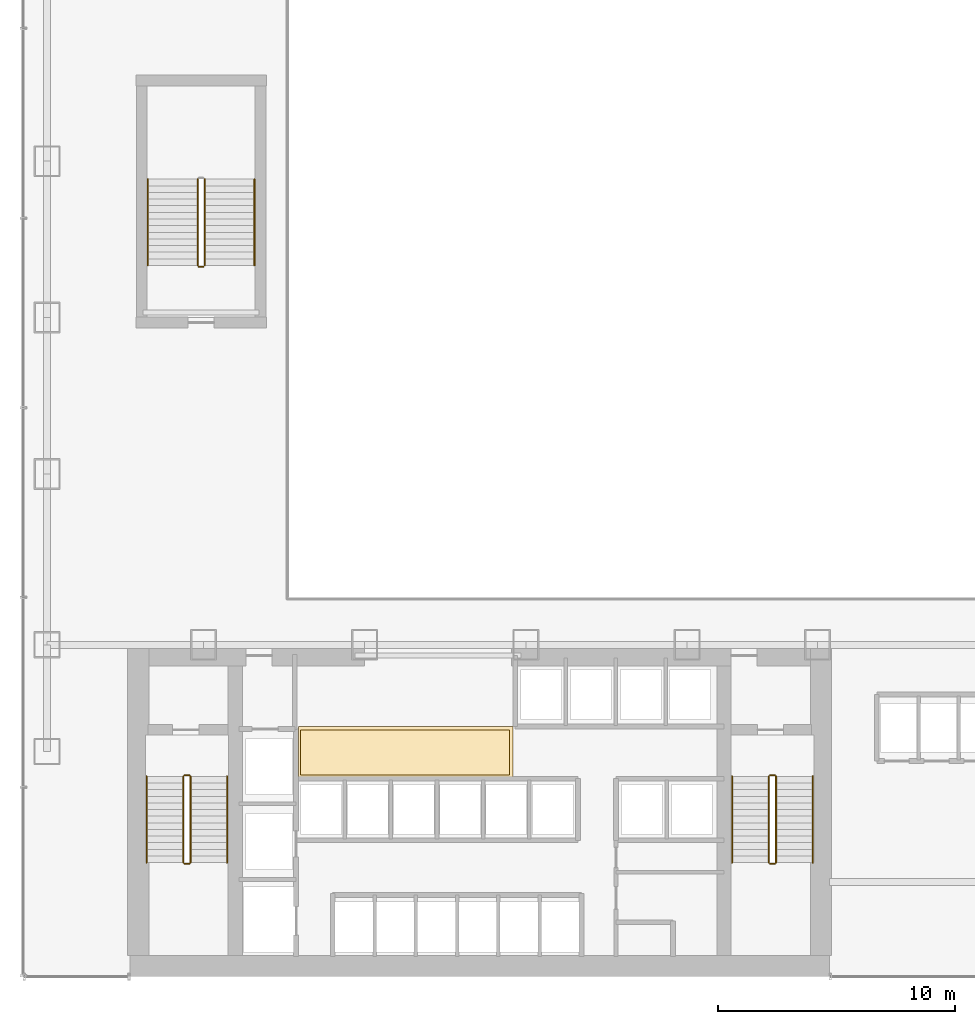
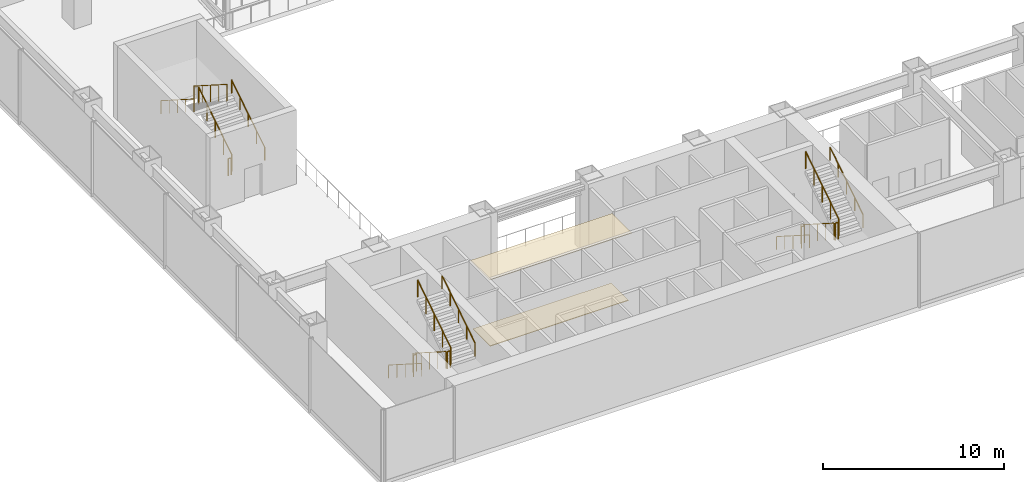
# One storey, part 32 of 39: 17 railings, 2 coverings.
"""IFC4 building model written with IfcOpenShell, lengths in metres."""

from ifc_helpers import new_model, si_unit, derived_unit, direction, frame, origin, origin_2d, place, context, subcontext, project, spatial, polyline, circle, outline, extrude, material, layer, layer_set, type_object, element, save


model = new_model("IFC4")

# Units and contexts
model_context = context("Model", 3, precision=1e-05, world=origin(), true_north=direction((0.0, 1.0)))
body_context = subcontext(model_context, "Body", "Model", "MODEL_VIEW")
ifc_project = project(units=[si_unit("LENGTHUNIT", "METRE"), si_unit("AREAUNIT", "SQUARE_METRE"), si_unit("VOLUMEUNIT", "CUBIC_METRE"), si_unit("PLANEANGLEUNIT", "RADIAN"), si_unit("MASSUNIT", "GRAM", prefix="KILO"), derived_unit("THERMALTRANSMITTANCEUNIT", [(si_unit("POWERUNIT", "WATT"), 1), (si_unit("LENGTHUNIT", "METRE"), -2), (si_unit("THERMODYNAMICTEMPERATUREUNIT", "KELVIN"), -1)])], contexts=[model_context])

# Site, building, storey
site_placement = place(None, origin())
site = spatial("IfcSite", under=ifc_project, at=site_placement, CompositionType="ELEMENT")
building_placement = place(site_placement, origin())
building = spatial("IfcBuilding", under=site, at=building_placement, Name="Skarnbrae Concourse Arena and Tower", CompositionType="ELEMENT")
storey_placement = place(building_placement, frame((0.0, 0.0, 16.0)))
storey = spatial("IfcBuildingStorey", under=building, at=storey_placement, Name="L03", CompositionType="ELEMENT", Elevation=16.0)

# Coverings
ifc_material_1 = material(Name="Mineral fibre acoustic ceiling tile", Category="other")
ifc_layer_1 = layer(ifc_material_1, 0.0400390625)
ifc_layer_set_1 = layer_set([ifc_layer_1], Name="Mineral fibre acoustic ceiling tile")
covering_type_1 = type_object("IfcCoveringType", Name="COV-CEIL-ACOUSTIC", PredefinedType="CEILING", material=ifc_layer_set_1)
covering_1_placement = place(storey_placement, frame((0.0, 0.0, 4.5400390625)))
element("IfcCovering", 1, at=covering_1_placement, inside=storey, type_object=covering_type_1, Name="L03 Lift lobby acoustic ceiling", PredefinedType="CEILING", context=body_context, shape_type="SweptSolid", body=[
    extrude(outline(polyline([(11.60009765625, 8.39990234375), (20.64990234375, 8.39990234375), (20.64990234375, 10.550048828125), (11.60009765625, 10.550048828125), (11.60009765625, 8.39990234375)])), origin(), (0.0, 0.0, 1.0), 0.0400390625),
])
ifc_material_2 = material(Name="Polished granite terrazzo flooring", Category="masonry")
ifc_layer_2 = layer(ifc_material_2, 0.0400390625)
ifc_layer_set_2 = layer_set([ifc_layer_2], Name="Polished granite terrazzo flooring")
covering_type_2 = type_object("IfcCoveringType", Name="COV-FLOOR-TERRAZZO", PredefinedType="FLOORING", material=ifc_layer_set_2)
covering_2_placement = place(storey_placement, origin())
element("IfcCovering", 2, at=covering_2_placement, inside=storey, type_object=covering_type_2, Name="L03 Lift lobby terrazzo flooring", PredefinedType="FLOORING", context=body_context, shape_type="SweptSolid", body=[
    extrude(outline(polyline([(11.699951171875, 8.5), (20.5, 8.5), (20.5, 10.39990234375), (11.699951171875, 10.39990234375), (11.699951171875, 8.5)])), origin(), (0.0, 0.0, 1.0), 0.0400390625),
])

# Railings
ifc_material_3 = material(Name="Steel CSA G40.21 350W", Category="steel")
railing_type_1 = type_object("IfcRailingType", Name="RAIL-HANDRAIL-900", PredefinedType="HANDRAIL", material=ifc_material_3)
railing_1_placement = place(storey_placement, frame((5.199951171875, 8.449951171875, 0.178466796875)))
element("IfcRailing", 3, at=railing_1_placement, inside=storey, type_object=railing_type_1, Name="L03 ST-1 stair handrail 1", PredefinedType="HANDRAIL", context=body_context, shape_type="SweptSolid", body=[
    extrude(circle(Radius=0.02392578125, at=origin_2d()), frame((0.0, 0.0, 0.8759765625), z_axis=(0.0, -0.843111507901, 0.53773877045), x_axis=(1.0, 0.0, 0.0)), (0.0, 0.0, 1.0), 4.317138671875),
    extrude(circle(Radius=0.02099609375, at=origin_2d()), origin(), (0.0, 0.0, 1.0), 0.851806640625),
    extrude(circle(Radius=0.02099609375, at=origin_2d()), frame((0.0, -0.909912109375, 0.580322265625)), (0.0, 0.0, 1.0), 0.851806640625),
    extrude(circle(Radius=0.02099609375, at=origin_2d()), frame((0.0, -1.81982421875, 1.16064453125)), (0.0, 0.0, 1.0), 0.851806640625),
    extrude(circle(Radius=0.02099609375, at=origin_2d()), frame((0.0, -2.72998046875, 1.7412109375)), (0.0, 0.0, 1.0), 0.851806640625),
    extrude(circle(Radius=0.02099609375, at=origin_2d()), frame((0.0, -3.639892578125, 2.321533203125)), (0.0, 0.0, 1.0), 0.851806640625),
])
railing_2_placement = place(storey_placement, frame((8.60009765625, 4.81005859375, 2.678466796875)))
element("IfcRailing", 4, at=railing_2_placement, inside=storey, type_object=railing_type_1, Name="L03 ST-1 stair handrail 2", PredefinedType="HANDRAIL", context=body_context, shape_type="SweptSolid", body=[
    extrude(circle(Radius=0.02392578125, at=origin_2d()), frame((0.0, 0.0, 0.8759765625), z_axis=(0.0, 0.843111507901, 0.53773877045), x_axis=(-1.0, 0.0, 0.0)), (0.0, 0.0, 1.0), 4.317138671875),
    extrude(circle(Radius=0.02099609375, at=origin_2d()), origin(), (0.0, 0.0, 1.0), 0.851806640625),
    extrude(circle(Radius=0.02099609375, at=origin_2d()), frame((0.0, 0.909912109375, 0.580322265625)), (0.0, 0.0, 1.0), 0.851806640625),
    extrude(circle(Radius=0.02099609375, at=origin_2d()), frame((0.0, 1.81982421875, 1.16064453125)), (0.0, 0.0, 1.0), 0.851806640625),
    extrude(circle(Radius=0.02099609375, at=origin_2d()), frame((0.0, 2.72998046875, 1.7412109375)), (0.0, 0.0, 1.0), 0.851806640625),
    extrude(circle(Radius=0.02099609375, at=origin_2d()), frame((0.0, 3.639892578125, 2.321533203125)), (0.0, 0.0, 1.0), 0.851806640625),
])
railing_3_placement = place(storey_placement, frame((29.89990234375, 8.449951171875, 0.178466796875)))
element("IfcRailing", 5, at=railing_3_placement, inside=storey, type_object=railing_type_1, Name="L03 ST-2 stair handrail 1", PredefinedType="HANDRAIL", context=body_context, shape_type="SweptSolid", body=[
    extrude(circle(Radius=0.02392578125, at=origin_2d()), frame((0.0, 0.0, 0.8759765625), z_axis=(0.0, -0.843111507901, 0.53773877045), x_axis=(1.0, 0.0, 0.0)), (0.0, 0.0, 1.0), 4.317138671875),
    extrude(circle(Radius=0.02099609375, at=origin_2d()), origin(), (0.0, 0.0, 1.0), 0.851806640625),
    extrude(circle(Radius=0.02099609375, at=origin_2d()), frame((0.0, -0.909912109375, 0.580322265625)), (0.0, 0.0, 1.0), 0.851806640625),
    extrude(circle(Radius=0.02099609375, at=origin_2d()), frame((0.0, -1.81982421875, 1.16064453125)), (0.0, 0.0, 1.0), 0.851806640625),
    extrude(circle(Radius=0.02099609375, at=origin_2d()), frame((0.0, -2.72998046875, 1.7412109375)), (0.0, 0.0, 1.0), 0.851806640625),
    extrude(circle(Radius=0.02099609375, at=origin_2d()), frame((0.0, -3.639892578125, 2.321533203125)), (0.0, 0.0, 1.0), 0.851806640625),
])
for number, where, name in (
    (6, (33.300048828125, 4.81005859375, 2.678466796875), "L03 ST-2 stair handrail 2"),
    (7, (9.75, 30.0, 0.178466796875), "L03 ST-A3 stair handrail 1"),
):
    element("IfcRailing", number, at=place(storey_placement, frame(where)), inside=storey, type_object=railing_type_1, Name=name, PredefinedType="HANDRAIL", context=body_context, shape_type="SweptSolid", body=[
        extrude(circle(Radius=0.02392578125, at=origin_2d()), frame((0.0, 0.0, 0.8759765625), z_axis=(0.0, 0.843111507901, 0.53773877045), x_axis=(-1.0, 0.0, 0.0)), (0.0, 0.0, 1.0), 4.317138671875),
        extrude(circle(Radius=0.02099609375, at=origin_2d()), origin(), (0.0, 0.0, 1.0), 0.851806640625),
        extrude(circle(Radius=0.02099609375, at=origin_2d()), frame((0.0, 0.909912109375, 0.580322265625)), (0.0, 0.0, 1.0), 0.851806640625),
        extrude(circle(Radius=0.02099609375, at=origin_2d()), frame((0.0, 1.81982421875, 1.16064453125)), (0.0, 0.0, 1.0), 0.851806640625),
        extrude(circle(Radius=0.02099609375, at=origin_2d()), frame((0.0, 2.72998046875, 1.7412109375)), (0.0, 0.0, 1.0), 0.851806640625),
        extrude(circle(Radius=0.02099609375, at=origin_2d()), frame((0.0, 3.639892578125, 2.321533203125)), (0.0, 0.0, 1.0), 0.851806640625),
    ])
railing_4_placement = place(storey_placement, frame((5.25, 33.639892578125, 2.678466796875)))
element("IfcRailing", 8, at=railing_4_placement, inside=storey, type_object=railing_type_1, Name="L03 ST-A3 stair handrail 2", PredefinedType="HANDRAIL", context=body_context, shape_type="SweptSolid", body=[
    extrude(circle(Radius=0.02392578125, at=origin_2d()), frame((0.0, 0.0, 0.8759765625), z_axis=(0.0, -0.843111507901, 0.53773877045), x_axis=(1.0, 0.0, 0.0)), (0.0, 0.0, 1.0), 4.317138671875),
    extrude(circle(Radius=0.02099609375, at=origin_2d()), origin(), (0.0, 0.0, 1.0), 0.851806640625),
    extrude(circle(Radius=0.02099609375, at=origin_2d()), frame((0.0, -0.909912109375, 0.580322265625)), (0.0, 0.0, 1.0), 0.851806640625),
    extrude(circle(Radius=0.02099609375, at=origin_2d()), frame((0.0, -1.81982421875, 1.16064453125)), (0.0, 0.0, 1.0), 0.851806640625),
    extrude(circle(Radius=0.02099609375, at=origin_2d()), frame((0.0, -2.72998046875, 1.7412109375)), (0.0, 0.0, 1.0), 0.851806640625),
    extrude(circle(Radius=0.02099609375, at=origin_2d()), frame((0.0, -3.639892578125, 2.321533203125)), (0.0, 0.0, 1.0), 0.851806640625),
])
railing_type_2 = type_object("IfcRailingType", Name="RAIL-STAIR-GUARD-1150", PredefinedType="GUARDRAIL", material=ifc_material_3)
railing_5_placement = place(storey_placement, frame((6.75, 8.449951171875, 0.178466796875)))
element("IfcRailing", 9, at=railing_5_placement, inside=storey, type_object=railing_type_2, Name="L03 ST-1 stair guard 1", PredefinedType="GUARDRAIL", context=body_context, shape_type="SweptSolid", body=[
    extrude(circle(Radius=0.02392578125, at=origin_2d()), frame((0.0, 0.0, 1.1259765625), z_axis=(0.0, -0.843111507901, 0.53773877045), x_axis=(1.0, 0.0, 0.0)), (0.0, 0.0, 1.0), 4.317138671875),
    extrude(circle(Radius=0.02099609375, at=origin_2d()), origin(), (0.0, 0.0, 1.0), 1.101806640625),
    extrude(circle(Radius=0.02099609375, at=origin_2d()), frame((0.0, -0.909912109375, 0.580322265625)), (0.0, 0.0, 1.0), 1.101806640625),
    extrude(circle(Radius=0.02099609375, at=origin_2d()), frame((0.0, -1.81982421875, 1.16064453125)), (0.0, 0.0, 1.0), 1.101806640625),
    extrude(circle(Radius=0.02099609375, at=origin_2d()), frame((0.0, -2.72998046875, 1.7412109375)), (0.0, 0.0, 1.0), 1.101806640625),
    extrude(circle(Radius=0.02099609375, at=origin_2d()), frame((0.0, -3.639892578125, 2.321533203125)), (0.0, 0.0, 1.0), 1.101806640625),
])
railing_6_placement = place(storey_placement, frame((6.800048828125, 4.760009765625, 2.5)))
element("IfcRailing", 10, at=railing_6_placement, inside=storey, type_object=railing_type_2, Name="L03 ST-1 stair guard 2", PredefinedType="GUARDRAIL", context=body_context, shape_type="SweptSolid", body=[
    extrude(circle(Radius=0.02392578125, at=origin_2d()), frame((0.0, 0.0, 1.1259765625), z_axis=(1.0, 0.0, 0.0), x_axis=(0.0, 1.0, 0.0)), (0.0, 0.0, 1.0), 0.199951171875),
    extrude(circle(Radius=0.02099609375, at=origin_2d()), origin(), (0.0, 0.0, 1.0), 1.101806640625),
    extrude(circle(Radius=0.02099609375, at=origin_2d()), frame((0.199951171875, 0.0, 0.0)), (0.0, 0.0, 1.0), 1.101806640625),
])
railing_7_placement = place(storey_placement, frame((7.050048828125, 4.81005859375, 2.678466796875)))
element("IfcRailing", 11, at=railing_7_placement, inside=storey, type_object=railing_type_2, Name="L03 ST-1 stair guard 3", PredefinedType="GUARDRAIL", context=body_context, shape_type="SweptSolid", body=[
    extrude(circle(Radius=0.02392578125, at=origin_2d()), frame((0.0, 0.0, 1.1259765625), z_axis=(0.0, 0.843111507901, 0.53773877045), x_axis=(-1.0, 0.0, 0.0)), (0.0, 0.0, 1.0), 4.317138671875),
    extrude(circle(Radius=0.02099609375, at=origin_2d()), origin(), (0.0, 0.0, 1.0), 1.101806640625),
    extrude(circle(Radius=0.02099609375, at=origin_2d()), frame((0.0, 0.909912109375, 0.580322265625)), (0.0, 0.0, 1.0), 1.101806640625),
    extrude(circle(Radius=0.02099609375, at=origin_2d()), frame((0.0, 1.81982421875, 1.16064453125)), (0.0, 0.0, 1.0), 1.101806640625),
    extrude(circle(Radius=0.02099609375, at=origin_2d()), frame((0.0, 2.72998046875, 1.7412109375)), (0.0, 0.0, 1.0), 1.101806640625),
    extrude(circle(Radius=0.02099609375, at=origin_2d()), frame((0.0, 3.639892578125, 2.321533203125)), (0.0, 0.0, 1.0), 1.101806640625),
])
railing_8_placement = place(storey_placement, frame((6.800048828125, 8.5, 0.0)))
element("IfcRailing", 12, at=railing_8_placement, inside=storey, type_object=railing_type_2, Name="L03 ST-1 stair guard 4", PredefinedType="GUARDRAIL", context=body_context, shape_type="SweptSolid", body=[
    extrude(circle(Radius=0.02392578125, at=origin_2d()), frame((0.0, 0.0, 1.1259765625), z_axis=(1.0, 0.0, 0.0), x_axis=(0.0, 1.0, 0.0)), (0.0, 0.0, 1.0), 0.199951171875),
    extrude(circle(Radius=0.02099609375, at=origin_2d()), origin(), (0.0, 0.0, 1.0), 1.101806640625),
    extrude(circle(Radius=0.02099609375, at=origin_2d()), frame((0.199951171875, 0.0, 0.0)), (0.0, 0.0, 1.0), 1.101806640625),
])
railing_9_placement = place(storey_placement, frame((31.449951171875, 8.449951171875, 0.178466796875)))
element("IfcRailing", 13, at=railing_9_placement, inside=storey, type_object=railing_type_2, Name="L03 ST-2 stair guard 1", PredefinedType="GUARDRAIL", context=body_context, shape_type="SweptSolid", body=[
    extrude(circle(Radius=0.02392578125, at=origin_2d()), frame((0.0, 0.0, 1.1259765625), z_axis=(0.0, -0.843111507901, 0.53773877045), x_axis=(1.0, 0.0, 0.0)), (0.0, 0.0, 1.0), 4.317138671875),
    extrude(circle(Radius=0.02099609375, at=origin_2d()), origin(), (0.0, 0.0, 1.0), 1.101806640625),
    extrude(circle(Radius=0.02099609375, at=origin_2d()), frame((0.0, -0.909912109375, 0.580322265625)), (0.0, 0.0, 1.0), 1.101806640625),
    extrude(circle(Radius=0.02099609375, at=origin_2d()), frame((0.0, -1.81982421875, 1.16064453125)), (0.0, 0.0, 1.0), 1.101806640625),
    extrude(circle(Radius=0.02099609375, at=origin_2d()), frame((0.0, -2.72998046875, 1.7412109375)), (0.0, 0.0, 1.0), 1.101806640625),
    extrude(circle(Radius=0.02099609375, at=origin_2d()), frame((0.0, -3.639892578125, 2.321533203125)), (0.0, 0.0, 1.0), 1.101806640625),
])
railing_10_placement = place(storey_placement, frame((31.5, 4.760009765625, 2.5)))
element("IfcRailing", 14, at=railing_10_placement, inside=storey, type_object=railing_type_2, Name="L03 ST-2 stair guard 2", PredefinedType="GUARDRAIL", context=body_context, shape_type="SweptSolid", body=[
    extrude(circle(Radius=0.02392578125, at=origin_2d()), frame((0.0, 0.0, 1.1259765625), z_axis=(1.0, 0.0, 0.0), x_axis=(0.0, 1.0, 0.0)), (0.0, 0.0, 1.0), 0.199951171875),
    extrude(circle(Radius=0.02099609375, at=origin_2d()), origin(), (0.0, 0.0, 1.0), 1.101806640625),
    extrude(circle(Radius=0.02099609375, at=origin_2d()), frame((0.199951171875, 0.0, 0.0)), (0.0, 0.0, 1.0), 1.101806640625),
])
railing_11_placement = place(storey_placement, frame((31.75, 4.81005859375, 2.678466796875)))
element("IfcRailing", 15, at=railing_11_placement, inside=storey, type_object=railing_type_2, Name="L03 ST-2 stair guard 3", PredefinedType="GUARDRAIL", context=body_context, shape_type="SweptSolid", body=[
    extrude(circle(Radius=0.02392578125, at=origin_2d()), frame((0.0, 0.0, 1.1259765625), z_axis=(0.0, 0.843111507901, 0.53773877045), x_axis=(-1.0, 0.0, 0.0)), (0.0, 0.0, 1.0), 4.317138671875),
    extrude(circle(Radius=0.02099609375, at=origin_2d()), origin(), (0.0, 0.0, 1.0), 1.101806640625),
    extrude(circle(Radius=0.02099609375, at=origin_2d()), frame((0.0, 0.909912109375, 0.580322265625)), (0.0, 0.0, 1.0), 1.101806640625),
    extrude(circle(Radius=0.02099609375, at=origin_2d()), frame((0.0, 1.81982421875, 1.16064453125)), (0.0, 0.0, 1.0), 1.101806640625),
    extrude(circle(Radius=0.02099609375, at=origin_2d()), frame((0.0, 2.72998046875, 1.7412109375)), (0.0, 0.0, 1.0), 1.101806640625),
    extrude(circle(Radius=0.02099609375, at=origin_2d()), frame((0.0, 3.639892578125, 2.321533203125)), (0.0, 0.0, 1.0), 1.101806640625),
])
railing_12_placement = place(storey_placement, frame((31.5, 8.5, 0.0)))
element("IfcRailing", 16, at=railing_12_placement, inside=storey, type_object=railing_type_2, Name="L03 ST-2 stair guard 4", PredefinedType="GUARDRAIL", context=body_context, shape_type="SweptSolid", body=[
    extrude(circle(Radius=0.02392578125, at=origin_2d()), frame((0.0, 0.0, 1.1259765625), z_axis=(1.0, 0.0, 0.0), x_axis=(0.0, 1.0, 0.0)), (0.0, 0.0, 1.0), 0.199951171875),
    extrude(circle(Radius=0.02099609375, at=origin_2d()), origin(), (0.0, 0.0, 1.0), 1.101806640625),
    extrude(circle(Radius=0.02099609375, at=origin_2d()), frame((0.199951171875, 0.0, 0.0)), (0.0, 0.0, 1.0), 1.101806640625),
])
railing_13_placement = place(storey_placement, frame((7.64990234375, 30.0, 0.178466796875)))
element("IfcRailing", 17, at=railing_13_placement, inside=storey, type_object=railing_type_2, Name="L03 ST-A3 stair guard 1", PredefinedType="GUARDRAIL", context=body_context, shape_type="SweptSolid", body=[
    extrude(circle(Radius=0.02392578125, at=origin_2d()), frame((0.0, 0.0, 1.1259765625), z_axis=(0.0, 0.843111507901, 0.53773877045), x_axis=(-1.0, 0.0, 0.0)), (0.0, 0.0, 1.0), 4.317138671875),
    extrude(circle(Radius=0.02099609375, at=origin_2d()), origin(), (0.0, 0.0, 1.0), 1.101806640625),
    extrude(circle(Radius=0.02099609375, at=origin_2d()), frame((0.0, 0.909912109375, 0.580322265625)), (0.0, 0.0, 1.0), 1.101806640625),
    extrude(circle(Radius=0.02099609375, at=origin_2d()), frame((0.0, 1.81982421875, 1.16064453125)), (0.0, 0.0, 1.0), 1.101806640625),
    extrude(circle(Radius=0.02099609375, at=origin_2d()), frame((0.0, 2.72998046875, 1.7412109375)), (0.0, 0.0, 1.0), 1.101806640625),
    extrude(circle(Radius=0.02099609375, at=origin_2d()), frame((0.0, 3.639892578125, 2.321533203125)), (0.0, 0.0, 1.0), 1.101806640625),
])
railing_14_placement = place(storey_placement, frame((7.35009765625, 33.639892578125, 2.678466796875)))
element("IfcRailing", 18, at=railing_14_placement, inside=storey, type_object=railing_type_2, Name="L03 ST-A3 stair guard 3", PredefinedType="GUARDRAIL", context=body_context, shape_type="SweptSolid", body=[
    extrude(circle(Radius=0.02392578125, at=origin_2d()), frame((0.0, 0.0, 1.1259765625), z_axis=(0.0, -0.843111507901, 0.53773877045), x_axis=(1.0, 0.0, 0.0)), (0.0, 0.0, 1.0), 4.317138671875),
    extrude(circle(Radius=0.02099609375, at=origin_2d()), origin(), (0.0, 0.0, 1.0), 1.101806640625),
    extrude(circle(Radius=0.02099609375, at=origin_2d()), frame((0.0, -0.909912109375, 0.580322265625)), (0.0, 0.0, 1.0), 1.101806640625),
    extrude(circle(Radius=0.02099609375, at=origin_2d()), frame((0.0, -1.81982421875, 1.16064453125)), (0.0, 0.0, 1.0), 1.101806640625),
    extrude(circle(Radius=0.02099609375, at=origin_2d()), frame((0.0, -2.72998046875, 1.7412109375)), (0.0, 0.0, 1.0), 1.101806640625),
    extrude(circle(Radius=0.02099609375, at=origin_2d()), frame((0.0, -3.639892578125, 2.321533203125)), (0.0, 0.0, 1.0), 1.101806640625),
])
railing_15_placement = place(storey_placement, frame((7.60009765625, 29.949951171875, 0.0)))
element("IfcRailing", 19, at=railing_15_placement, inside=storey, type_object=railing_type_2, Name="L03 ST-A3 stair guard 4", PredefinedType="GUARDRAIL", context=body_context, shape_type="SweptSolid", body=[
    extrude(circle(Radius=0.02392578125, at=origin_2d()), frame((0.0, 0.0, 1.1259765625), z_axis=(-1.0, 0.0, 0.0), x_axis=(0.0, -1.0, 0.0)), (0.0, 0.0, 1.0), 0.2001953125),
    extrude(circle(Radius=0.02099609375, at=origin_2d()), origin(), (0.0, 0.0, 1.0), 1.101806640625),
    extrude(circle(Radius=0.02099609375, at=origin_2d()), frame((-0.2001953125, 0.0, 0.0)), (0.0, 0.0, 1.0), 1.101806640625),
])

save(model, "model.ifc")
